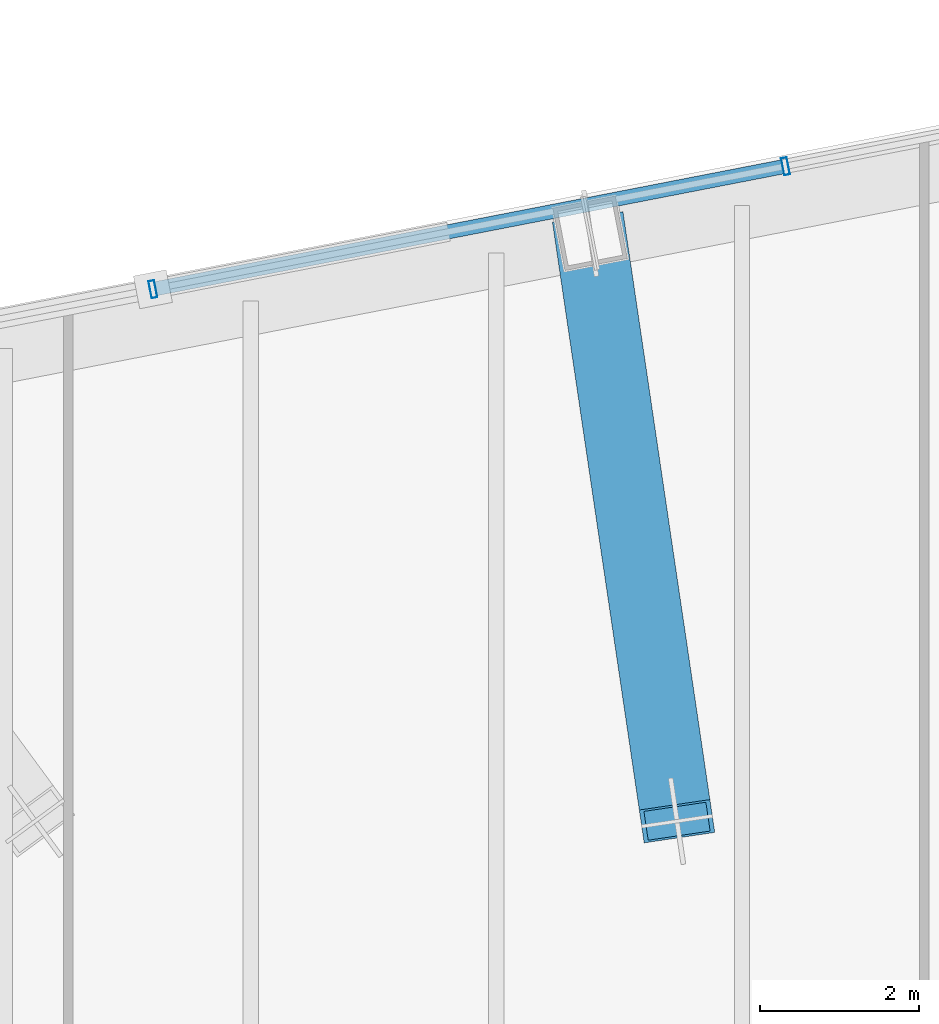
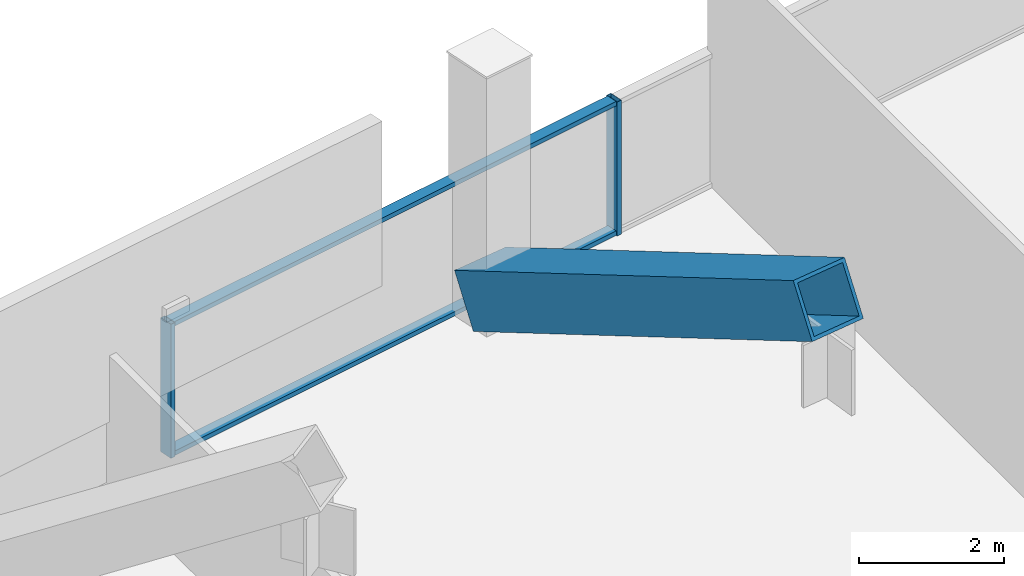
# One storey, part 14 of 26: 5 members, 1 element without a shape of its own.
"""IFC4 building model written with IfcOpenShell, lengths in metres."""

from ifc_helpers import new_model, si_unit, direction, frame, origin, origin_2d, place, context, subcontext, project, spatial, hollow_rectangle, extrude, material, layer, layer_set, material_profile, profile_set, type_object, element, aggregate, save


model = new_model("IFC4")

# Units and contexts
model_context = context("Model", 3, precision=1e-05, world=origin(), true_north=direction((0.0, 1.0)))
body_context = subcontext(model_context, "Body", "Model", "MODEL_VIEW")
ifc_project = project(units=[si_unit("LENGTHUNIT", "METRE"), si_unit("AREAUNIT", "SQUARE_METRE"), si_unit("VOLUMEUNIT", "CUBIC_METRE"), si_unit("PLANEANGLEUNIT", "RADIAN"), si_unit("MASSUNIT", "GRAM", prefix="KILO")], contexts=[model_context])

# Site, building, storey
site_placement = place(None, origin())
site = spatial("IfcSite", under=ifc_project, at=site_placement, CompositionType="ELEMENT")
building_placement = place(site_placement, origin())
building = spatial("IfcBuilding", under=site, at=building_placement, Name="Qhalaya Broadcast Tower", CompositionType="ELEMENT")
storey_placement = place(building_placement, frame((0.0, 0.0, 140.25)))
storey = spatial("IfcBuildingStorey", under=building, at=storey_placement, Name="L41", CompositionType="ELEMENT", Elevation=140.25)

# Member
ifc_material_1 = material(Name="Structural Steel ASTM A572 Grade 50", Category="steel")
ifc_material_profile_1 = material_profile(ifc_material_1, hollow_rectangle(XDim=0.89990234375, YDim=0.89990234375, WallThickness=0.054931640625, at=origin_2d()), Name="BOX 900x900x55")
ifc_profile_set_1 = profile_set([ifc_material_profile_1], Name="Structural Steel ASTM A572 Grade 50")
member_type_1 = type_object("IfcMemberType", Name="Heavy Exoskeleton Transfer Strut RK1", PredefinedType="BRACE", material=ifc_profile_set_1)
member_1_placement = place(storey_placement, frame((1.183349609375, 30.078369140625, 0.408203125), z_axis=(0.129447591652, -0.875644372202, 0.465285132415), x_axis=(0.989248862192, 0.146241884057, 0.0)))
element("IfcMember", 1, at=member_1_placement, inside=storey, type_object=member_type_1, Name="L41 Inclined Exoskeleton Transfer Strut 10", PredefinedType="BRACE", context=body_context, shape_type="SweptSolid", body=[
    extrude(hollow_rectangle(XDim=0.89990234375, YDim=0.89990234375, WallThickness=0.054931640625, at=origin_2d()), origin(), (0.0, 0.0, 1.0), 8.471923828125),
])

# Curtain wall, members
ifc_material_2 = material(Name="Fired Architectural Terracotta", Category="masonry")
ifc_layer = layer(ifc_material_2, 0.219970703125, Name="Fired Architectural Terracotta")
ifc_layer_set = layer_set([ifc_layer], Name="Fired Architectural Terracotta")
curtain_wall_type = type_object("IfcCurtainWallType", Name="Block-Cap Unitised Terracotta Spandrel Wall CW-07", PredefinedType="NOTDEFINED", material=ifc_layer_set)
curtain_wall_placement = place(storey_placement, origin())
curtain_wall = element("IfcCurtainWall", 2, at=curtain_wall_placement, inside=storey, type_object=curtain_wall_type, Name="L41 Unitised Curtain Wall L41-CW-N", PredefinedType="NOTDEFINED")
ifc_material_3 = material(Name="Anodised Aluminium 6063-T6", Category="aluminium")
ifc_material_profile_2 = material_profile(ifc_material_3, hollow_rectangle(XDim=0.074951171875, YDim=0.219970703125, WallThickness=0.00390625, at=origin_2d()), Name="ALU-MUL 75x220x4")
ifc_profile_set_2 = profile_set([ifc_material_profile_2], Name="Anodised Aluminium 6063-T6")
member_type_2 = type_object("IfcMemberType", Name="Unitised Curtain-Wall Mullion M01", PredefinedType="MULLION", material=ifc_profile_set_2)
member_2_placement = place(storey_placement, frame((-4.333251953125, 29.372802734375, 0.0), z_axis=(0.0, 0.0, 1.0), x_axis=(0.981626973255, 0.190810076719, 0.0)))
member_2 = element("IfcMember", 3, at=member_2_placement, type_object=member_type_2, Name="CW-07 mullion 3", PredefinedType="MULLION", context=body_context, shape_type="SweptSolid", body=[
    extrude(hollow_rectangle(XDim=0.074951171875, YDim=0.219970703125, WallThickness=0.00390625, at=origin_2d()), origin(), (0.0, 0.0, 1.0), 2.25),
])
member_3_placement = place(storey_placement, frame((3.648193359375, 30.92431640625, 0.0), z_axis=(0.0, 0.0, 1.0), x_axis=(0.981626973255, 0.190810076719, 0.0)))
member_3 = element("IfcMember", 4, at=member_3_placement, type_object=member_type_2, Name="CW-07 mullion 4", PredefinedType="MULLION", context=body_context, shape_type="SweptSolid", body=[
    extrude(hollow_rectangle(XDim=0.074951171875, YDim=0.219970703125, WallThickness=0.00390625, at=origin_2d()), origin(), (0.0, 0.0, 1.0), 2.25),
])
ifc_material_profile_3 = material_profile(ifc_material_3, hollow_rectangle(XDim=0.074951171875, YDim=0.179931640625, WallThickness=0.00390625, at=origin_2d()), Name="ALU-TRN 75x180x4")
ifc_profile_set_3 = profile_set([ifc_material_profile_3], Name="Anodised Aluminium 6063-T6")
member_type_3 = type_object("IfcMemberType", Name="Unitised Curtain-Wall Transom T01", PredefinedType="USERDEFINED", material=ifc_profile_set_3)
member_4_placement = place(storey_placement, frame((-4.29638671875, 29.3798828125, 0.03759765625), z_axis=(0.981628163132, 0.190803955268, 0.0), x_axis=(0.0, 0.0, 1.0)))
member_4 = element("IfcMember", 5, at=member_4_placement, type_object=member_type_3, Name="CW-07 transom 3.1", ObjectType="TRANSOM", PredefinedType="USERDEFINED", context=body_context, shape_type="SweptSolid", body=[
    extrude(hollow_rectangle(XDim=0.074951171875, YDim=0.179931640625, WallThickness=0.00390625, at=origin_2d()), origin(), (0.0, 0.0, 1.0), 8.055908203125),
])
member_5_placement = place(storey_placement, frame((-4.29638671875, 29.3798828125, 2.21240234375), z_axis=(0.981628163132, 0.190803955268, 0.0), x_axis=(0.0, 0.0, 1.0)))
member_5 = element("IfcMember", 6, at=member_5_placement, type_object=member_type_3, Name="CW-07 transom 3.2", ObjectType="TRANSOM", PredefinedType="USERDEFINED", context=body_context, shape_type="SweptSolid", body=[
    extrude(hollow_rectangle(XDim=0.074951171875, YDim=0.179931640625, WallThickness=0.00390625, at=origin_2d()), origin(), (0.0, 0.0, 1.0), 8.055908203125),
])
aggregate(curtain_wall, [member_2, member_3, member_4, member_5])

save(model, "model.ifc")
